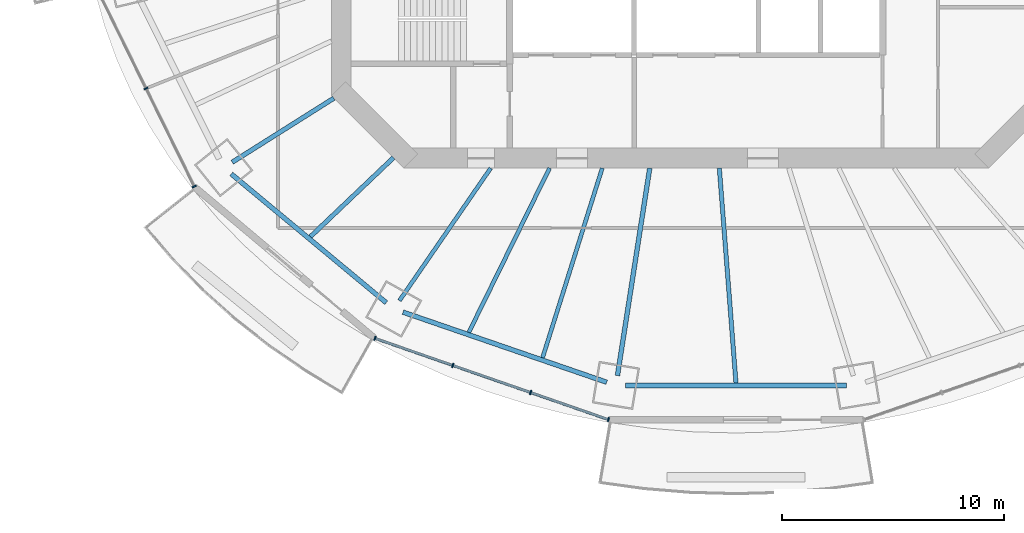
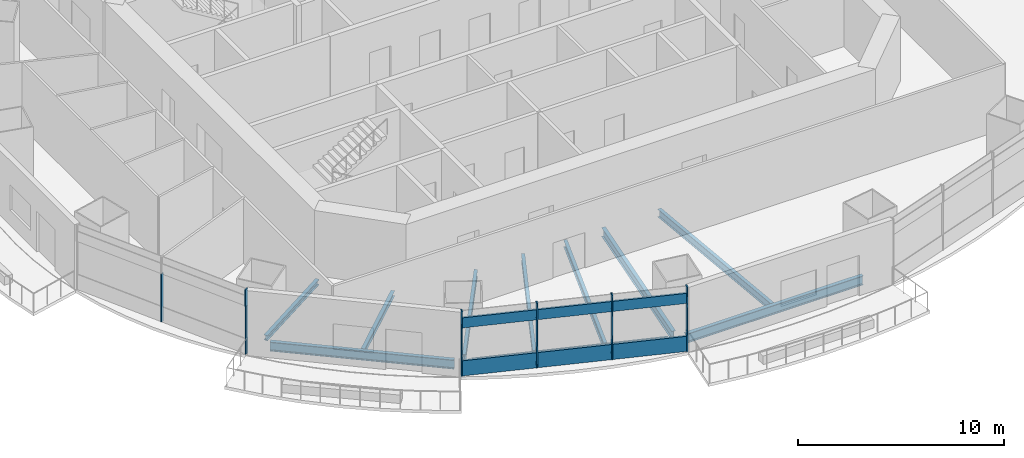
# One storey, part 2 of 16: 13 members, 10 beams, 4 elements without a shape of their own.
"""IFC4 building model written with IfcOpenShell, lengths in metres."""

from ifc_helpers import new_model, si_unit, direction, frame, origin, origin_2d, place, context, subcontext, project, spatial, rectangle, i_section, extrude, material, material_profile, profile_set, type_object, element, aggregate, save


model = new_model("IFC4")

# Units and contexts
model_context = context("Model", 3, precision=1e-05, world=origin(), true_north=direction((0.0, 1.0)))
body_context = subcontext(model_context, "Body", "Model", "MODEL_VIEW")
ifc_project = project(units=[si_unit("LENGTHUNIT", "METRE"), si_unit("AREAUNIT", "SQUARE_METRE"), si_unit("VOLUMEUNIT", "CUBIC_METRE"), si_unit("PLANEANGLEUNIT", "RADIAN"), si_unit("MASSUNIT", "GRAM", prefix="KILO")], contexts=[model_context])

# Site, building, storey
site_placement = place(None, origin())
site = spatial("IfcSite", under=ifc_project, at=site_placement, CompositionType="ELEMENT")
building_placement = place(site_placement, origin())
building = spatial("IfcBuilding", under=site, at=building_placement, Name="Marenthal Gate Tower", CompositionType="ELEMENT")
storey_placement = place(building_placement, frame((0.0, 0.0, 268.949951171875)))
storey = spatial("IfcBuildingStorey", under=building, at=storey_placement, Name="L60", CompositionType="ELEMENT", Elevation=268.949951171875)

# Curtain wall, members
ifc_material_1 = material(Name="Aluminium and glass", Category="aluminium")
curtain_wall_type_1 = type_object("IfcCurtainWallType", Name="Curtain wall typical mid", PredefinedType="NOTDEFINED", material=ifc_material_1)
curtain_wall_1_placement = place(storey_placement, origin())
curtain_wall_1 = element("IfcCurtainWall", 1, at=curtain_wall_1_placement, inside=storey, type_object=curtain_wall_type_1, Name="Curtain wall L60 bay 9", PredefinedType="NOTDEFINED")
ifc_material_2 = material(Name="Aluminium", Category="aluminium")
ifc_material_profile_1 = material_profile(ifc_material_2, rectangle(XDim=0.179931640625, YDim=0.06005859375, at=origin_2d()), Name="60x180 aluminium mullion")
ifc_profile_set_1 = profile_set([ifc_material_profile_1], Name="Aluminium")
member_type_1 = type_object("IfcMemberType", Name="Mullion 60x180 typical mid", PredefinedType="MULLION", material=ifc_profile_set_1)
member_1_placement = place(storey_placement, frame((-24.804931640625, -9.858642578125, 0.0), z_axis=(0.0, 0.0, 1.0), x_axis=(0.896920632002, 0.442191564697, 0.0)))
member_1 = element("IfcMember", 2, at=member_1_placement, type_object=member_type_1, Name="Mullion L60 bay 9.2", PredefinedType="MULLION", context=body_context, shape_type="SweptSolid", body=[
    extrude(rectangle(XDim=0.179931640625, YDim=0.06005859375, at=origin_2d()), origin(), (0.0, 0.0, 1.0), 2.85009765625),
])
member_2_placement = place(storey_placement, frame((-22.6259765625, -14.27783203125, 0.0), z_axis=(0.0, 0.0, 1.0), x_axis=(0.896920632002, 0.442191564697, 0.0)))
member_2 = element("IfcMember", 3, at=member_2_placement, type_object=member_type_1, Name="Mullion L60 bay 9.3", PredefinedType="MULLION", context=body_context, shape_type="SweptSolid", body=[
    extrude(rectangle(XDim=0.179931640625, YDim=0.06005859375, at=origin_2d()), origin(), (0.0, 0.0, 1.0), 2.85009765625),
])
aggregate(curtain_wall_1, [member_1, member_2])

curtain_wall_2_placement = place(storey_placement, origin())
curtain_wall_2 = element("IfcCurtainWall", 4, at=curtain_wall_2_placement, inside=storey, type_object=curtain_wall_type_1, Name="Curtain wall L60 bay 11", PredefinedType="NOTDEFINED")
member_3_placement = place(storey_placement, frame((-14.48388671875, -21.12060546875, 0.0), z_axis=(0.0, 0.0, 1.0), x_axis=(0.328669787971, 0.944444900709, 0.0)))
member_3 = element("IfcMember", 5, at=member_3_placement, type_object=member_type_1, Name="Mullion L60 bay 11.1", PredefinedType="MULLION", context=body_context, shape_type="SweptSolid", body=[
    extrude(rectangle(XDim=0.179931640625, YDim=0.06005859375, at=origin_2d()), origin(), (0.0, 0.0, 1.0), 2.85009765625),
])
member_4_placement = place(storey_placement, frame((-10.974609375, -22.341796875, 0.0), z_axis=(0.0, 0.0, 1.0), x_axis=(0.328669787971, 0.944444900709, 0.0)))
member_4 = element("IfcMember", 6, at=member_4_placement, type_object=member_type_1, Name="Mullion L60 bay 11.2", PredefinedType="MULLION", context=body_context, shape_type="SweptSolid", body=[
    extrude(rectangle(XDim=0.179931640625, YDim=0.06005859375, at=origin_2d()), origin(), (0.0, 0.0, 1.0), 2.85009765625),
])
member_5_placement = place(storey_placement, frame((-7.465576171875, -23.56298828125, 0.0), z_axis=(0.0, 0.0, 1.0), x_axis=(0.328669787971, 0.944444900709, 0.0)))
member_5 = element("IfcMember", 7, at=member_5_placement, type_object=member_type_1, Name="Mullion L60 bay 11.3", PredefinedType="MULLION", context=body_context, shape_type="SweptSolid", body=[
    extrude(rectangle(XDim=0.179931640625, YDim=0.06005859375, at=origin_2d()), origin(), (0.0, 0.0, 1.0), 2.85009765625),
])
member_6_placement = place(storey_placement, frame((-3.956298828125, -24.7841796875, 0.0), z_axis=(0.0, 0.0, 1.0), x_axis=(0.328669787971, 0.944444900709, 0.0)))
member_6 = element("IfcMember", 8, at=member_6_placement, type_object=member_type_1, Name="Mullion L60 bay 11.4", PredefinedType="MULLION", context=body_context, shape_type="SweptSolid", body=[
    extrude(rectangle(XDim=0.179931640625, YDim=0.06005859375, at=origin_2d()), origin(), (0.0, 0.0, 1.0), 2.85009765625),
])

# Curtain wall, member
ifc_material_3 = material(Name="Aluminium and glass", Category="aluminium")
curtain_wall_type_2 = type_object("IfcCurtainWallType", Name="Curtain wall crown clad", PredefinedType="NOTDEFINED", material=ifc_material_3)
curtain_wall_3_placement = place(storey_placement, origin())
curtain_wall_3 = element("IfcCurtainWall", 9, at=curtain_wall_3_placement, inside=storey, type_object=curtain_wall_type_2, Name="Curtain wall L60 bay 9 head band", PredefinedType="NOTDEFINED")
ifc_material_4 = material(Name="Aluminium", Category="aluminium")
ifc_material_profile_2 = material_profile(ifc_material_4, rectangle(XDim=0.199951171875, YDim=0.06005859375, at=origin_2d()), Name="60x200 aluminium mullion")
ifc_profile_set_2 = profile_set([ifc_material_profile_2], Name="Aluminium")
member_type_2 = type_object("IfcMemberType", Name="Mullion 60x200 crown clad", PredefinedType="MULLION", material=ifc_profile_set_2)
member_7_placement = place(storey_placement, frame((-22.6259765625, -14.27783203125, 2.85009765625), z_axis=(0.0, 0.0, 1.0), x_axis=(0.896920632002, 0.442191564697, 0.0)))
member_7 = element("IfcMember", 10, at=member_7_placement, type_object=member_type_2, Name="Mullion L60 bay 9.3", PredefinedType="MULLION", context=body_context, shape_type="SweptSolid", body=[
    extrude(rectangle(XDim=0.199951171875, YDim=0.06005859375, at=origin_2d()), origin(), (0.0, 0.0, 1.0), 1.0),
])
aggregate(curtain_wall_3, [member_7])

# Curtain wall, members
curtain_wall_4_placement = place(storey_placement, origin())
curtain_wall_4 = element("IfcCurtainWall", 11, at=curtain_wall_4_placement, inside=storey, type_object=curtain_wall_type_2, Name="Curtain wall L60 bay 11 head band", PredefinedType="NOTDEFINED")
member_8_placement = place(storey_placement, frame((-14.48388671875, -21.12060546875, 2.85009765625), z_axis=(0.0, 0.0, 1.0), x_axis=(0.328669787971, 0.944444900709, 0.0)))
member_8 = element("IfcMember", 12, at=member_8_placement, type_object=member_type_2, Name="Mullion L60 bay 11.1", PredefinedType="MULLION", context=body_context, shape_type="SweptSolid", body=[
    extrude(rectangle(XDim=0.199951171875, YDim=0.06005859375, at=origin_2d()), origin(), (0.0, 0.0, 1.0), 1.0),
])
member_9_placement = place(storey_placement, frame((-10.974609375, -22.341796875, 2.85009765625), z_axis=(0.0, 0.0, 1.0), x_axis=(0.328669787971, 0.944444900709, 0.0)))
member_9 = element("IfcMember", 13, at=member_9_placement, type_object=member_type_2, Name="Mullion L60 bay 11.2", PredefinedType="MULLION", context=body_context, shape_type="SweptSolid", body=[
    extrude(rectangle(XDim=0.199951171875, YDim=0.06005859375, at=origin_2d()), origin(), (0.0, 0.0, 1.0), 1.0),
])
member_10_placement = place(storey_placement, frame((-7.465576171875, -23.56298828125, 2.85009765625), z_axis=(0.0, 0.0, 1.0), x_axis=(0.328669787971, 0.944444900709, 0.0)))
member_10 = element("IfcMember", 14, at=member_10_placement, type_object=member_type_2, Name="Mullion L60 bay 11.3", PredefinedType="MULLION", context=body_context, shape_type="SweptSolid", body=[
    extrude(rectangle(XDim=0.199951171875, YDim=0.06005859375, at=origin_2d()), origin(), (0.0, 0.0, 1.0), 1.0),
])
member_11_placement = place(storey_placement, frame((-3.956298828125, -24.7841796875, 2.85009765625), z_axis=(0.0, 0.0, 1.0), x_axis=(0.328669787971, 0.944444900709, 0.0)))
member_11 = element("IfcMember", 15, at=member_11_placement, type_object=member_type_2, Name="Mullion L60 bay 11.4", PredefinedType="MULLION", context=body_context, shape_type="SweptSolid", body=[
    extrude(rectangle(XDim=0.199951171875, YDim=0.06005859375, at=origin_2d()), origin(), (0.0, 0.0, 1.0), 1.0),
])
ifc_material_5 = material(Name="Aluminium", Category="aluminium")
ifc_material_profile_3 = material_profile(ifc_material_5, rectangle(XDim=0.1201171875, YDim=0.60009765625, at=origin_2d()), Name="120x600 aluminium transom")
ifc_profile_set_3 = profile_set([ifc_material_profile_3], Name="Aluminium")
member_type_3 = type_object("IfcMemberType", Name="Transom 120x600 crown clad", PredefinedType="USERDEFINED", material=ifc_profile_set_3)
member_12_placement = place(storey_placement, frame((-14.455322265625, -21.13037109375, 3.150146484375), z_axis=(0.944445984358, -0.328666674047, 0.0), x_axis=(0.328666674047, 0.944445984358, 0.0)))
member_12 = element("IfcMember", 16, at=member_12_placement, type_object=member_type_3, Name="Transom L60 bay 11", ObjectType="TRANSOM", PredefinedType="USERDEFINED", context=body_context, shape_type="SweptSolid", body=[
    extrude(rectangle(XDim=0.1201171875, YDim=0.60009765625, at=origin_2d()), origin(), (0.0, 0.0, 1.0), 11.086669921875),
])
aggregate(curtain_wall_4, [member_8, member_9, member_10, member_11, member_12])

# Member
ifc_material_6 = material(Name="Aluminium", Category="aluminium")
ifc_material_profile_4 = material_profile(ifc_material_6, rectangle(XDim=0.1201171875, YDim=0.89990234375, at=origin_2d()), Name="120x900 aluminium transom")
ifc_profile_set_4 = profile_set([ifc_material_profile_4], Name="Aluminium")
member_type_4 = type_object("IfcMemberType", Name="Transom 120x900 typical mid", PredefinedType="USERDEFINED", material=ifc_profile_set_4)
member_13_placement = place(storey_placement, frame((-14.455322265625, -21.13037109375, 0.449951171875), z_axis=(0.944445984358, -0.328666674047, 0.0), x_axis=(0.328666674047, 0.944445984358, 0.0)))
member_13 = element("IfcMember", 17, at=member_13_placement, type_object=member_type_4, Name="Transom L60 bay 11", ObjectType="TRANSOM", PredefinedType="USERDEFINED", context=body_context, shape_type="SweptSolid", body=[
    extrude(rectangle(XDim=0.1201171875, YDim=0.89990234375, at=origin_2d()), origin(), (0.0, 0.0, 1.0), 11.086669921875),
])

aggregate(curtain_wall_2, [member_3, member_4, member_5, member_6, member_13])

# Beams
ifc_material_7 = material(Name="Steel S355", Category="steel")
ifc_material_profile_5 = material_profile(ifc_material_7, i_section(OverallWidth=0.202880859375, OverallDepth=0.302001953125, WebThickness=0.007568359375, FlangeThickness=0.01318359375, FilletRadius=0.0126953125, at=origin_2d()), Name="W310X60")
ifc_profile_set_5 = profile_set([ifc_material_profile_5], Name="Steel S355")
beam_type_1 = type_object("IfcBeamType", Name="W310X60 beam", PredefinedType="BEAM", material=ifc_profile_set_5)
beam_1_placement = place(storey_placement, frame((-17.389404296875, -16.538330078125, -0.3310546875), z_axis=(0.724635316144, 0.68913254066, 0.0), x_axis=(-0.68913254066, 0.724635316144, 0.0)))
element("IfcBeam", 18, at=beam_1_placement, inside=storey, type_object=beam_type_1, Name="BM-L60-31", PredefinedType="BEAM", context=body_context, shape_type="SweptSolid", body=[
    extrude(i_section(OverallWidth=0.202880859375, OverallDepth=0.302001953125, WebThickness=0.007568359375, FlangeThickness=0.01318359375, FilletRadius=0.0126953125, at=origin_2d()), origin(), (0.0, 0.0, 1.0), 5.157470703125),
])
ifc_material_8 = material(Name="Steel S355", Category="steel")
ifc_material_profile_6 = material_profile(ifc_material_8, i_section(OverallWidth=0.205078125, OverallDepth=0.31005859375, WebThickness=0.009521484375, FlangeThickness=0.016357421875, FilletRadius=0.0126953125, at=origin_2d()), Name="W310X74")
ifc_profile_set_6 = profile_set([ifc_material_profile_6], Name="Steel S355")
beam_type_2 = type_object("IfcBeamType", Name="W310X74 beam", PredefinedType="BEAM", material=ifc_profile_set_6)
beam_2_placement = place(storey_placement, frame((-20.9130859375, -13.18359375, -0.3349609375), z_axis=(0.845937996818, 0.533281263067, 0.0), x_axis=(-0.533281263067, 0.845937996818, 0.0)))
element("IfcBeam", 19, at=beam_2_placement, inside=storey, type_object=beam_type_2, Name="BM-L60-10", PredefinedType="BEAM", context=body_context, shape_type="SweptSolid", body=[
    extrude(i_section(OverallWidth=0.205078125, OverallDepth=0.31005859375, WebThickness=0.009521484375, FlangeThickness=0.016357421875, FilletRadius=0.0126953125, at=origin_2d()), origin(), (0.0, 0.0, 1.0), 5.408935546875),
])
ifc_material_9 = material(Name="Steel S355", Category="steel")
ifc_material_profile_7 = material_profile(ifc_material_9, i_section(OverallWidth=0.180908203125, OverallDepth=0.4169921875, WebThickness=0.010986328125, FlangeThickness=0.018310546875, FilletRadius=0.01025390625, at=origin_2d()), Name="W410X85")
ifc_profile_set_7 = profile_set([ifc_material_profile_7], Name="Steel S355")
beam_type_3 = type_object("IfcBeamType", Name="W410X85 beam", PredefinedType="BEAM", material=ifc_profile_set_7)
beam_3_placement = place(storey_placement, frame((-13.376708984375, -19.4228515625, -0.388427734375), z_axis=(0.567198693858, 0.823580986719, 0.0), x_axis=(-0.823580986719, 0.567198693858, 0.0)))
element("IfcBeam", 20, at=beam_3_placement, inside=storey, type_object=beam_type_3, Name="BM-L60-11", PredefinedType="BEAM", context=body_context, shape_type="SweptSolid", body=[
    extrude(i_section(OverallWidth=0.180908203125, OverallDepth=0.4169921875, WebThickness=0.010986328125, FlangeThickness=0.018310546875, FilletRadius=0.01025390625, at=origin_2d()), origin(), (0.0, 0.0, 1.0), 7.25244140625),
])
beam_4_placement = place(storey_placement, frame((-10.2490234375, -20.85009765625, -0.388427734375), z_axis=(0.441151587907, 0.897432602755, 0.0), x_axis=(-0.897432602755, 0.441151587907, 0.0)))
element("IfcBeam", 21, at=beam_4_placement, inside=storey, type_object=beam_type_3, Name="BM-L60-32", PredefinedType="BEAM", context=body_context, shape_type="SweptSolid", body=[
    extrude(i_section(OverallWidth=0.180908203125, OverallDepth=0.4169921875, WebThickness=0.010986328125, FlangeThickness=0.018310546875, FilletRadius=0.01025390625, at=origin_2d()), origin(), (0.0, 0.0, 1.0), 8.245849609375),
])
beam_5_placement = place(storey_placement, frame((-6.926025390625, -21.994140625, -0.388427734375), z_axis=(0.30034603041, 0.953830310913, 0.0), x_axis=(-0.953830310913, 0.30034603041, 0.0)))
element("IfcBeam", 22, at=beam_5_placement, inside=storey, type_object=beam_type_3, Name="BM-L60-33", PredefinedType="BEAM", context=body_context, shape_type="SweptSolid", body=[
    extrude(i_section(OverallWidth=0.180908203125, OverallDepth=0.4169921875, WebThickness=0.010986328125, FlangeThickness=0.018310546875, FilletRadius=0.01025390625, at=origin_2d()), origin(), (0.0, 0.0, 1.0), 8.957763671875),
])
ifc_material_10 = material(Name="Steel S355", Category="steel")
ifc_material_profile_8 = material_profile(ifc_material_10, i_section(OverallWidth=0.193115234375, OverallDepth=0.467041015625, WebThickness=0.011474609375, FlangeThickness=0.01904296875, FilletRadius=0.010009765625, at=origin_2d()), Name="W460X97")
ifc_profile_set_8 = profile_set([ifc_material_profile_8], Name="Steel S355")
beam_type_4 = type_object("IfcBeamType", Name="W460X97 beam", PredefinedType="BEAM", material=ifc_profile_set_8)
beam_6_placement = place(storey_placement, frame((1.791748046875, -23.138427734375, -0.413330078125), z_axis=(-0.077205616484, 0.997015191852, 0.0), x_axis=(-0.997015191852, -0.077205616484, 0.0)))
element("IfcBeam", 23, at=beam_6_placement, inside=storey, type_object=beam_type_4, Name="BM-L60-34", PredefinedType="BEAM", context=body_context, shape_type="SweptSolid", body=[
    extrude(i_section(OverallWidth=0.193115234375, OverallDepth=0.467041015625, WebThickness=0.011474609375, FlangeThickness=0.01904296875, FilletRadius=0.010009765625, at=origin_2d()), origin(), (0.0, 0.0, 1.0), 9.717529296875),
])
ifc_material_11 = material(Name="Steel S355", Category="steel")
ifc_material_profile_9 = material_profile(ifc_material_11, i_section(OverallWidth=0.2099609375, OverallDepth=0.535888671875, WebThickness=0.010986328125, FlangeThickness=0.017333984375, FilletRadius=0.0126953125, at=origin_2d()), Name="W530X101")
ifc_profile_set_9 = profile_set([ifc_material_profile_9], Name="Steel S355")
beam_type_5 = type_object("IfcBeamType", Name="W530X101 beam", PredefinedType="BEAM", material=ifc_profile_set_9)
beam_7_placement = place(storey_placement, frame((-3.550537109375, -22.7998046875, -0.447998046875), z_axis=(0.153875504904, 0.988090243343, 0.0), x_axis=(-0.988090243343, 0.153875504904, 0.0)))
element("IfcBeam", 24, at=beam_7_placement, inside=storey, type_object=beam_type_5, Name="BM-L60-12", PredefinedType="BEAM", context=body_context, shape_type="SweptSolid", body=[
    extrude(i_section(OverallWidth=0.2099609375, OverallDepth=0.535888671875, WebThickness=0.010986328125, FlangeThickness=0.017333984375, FilletRadius=0.0126953125, at=origin_2d()), origin(), (0.0, 0.0, 1.0), 9.462646484375),
])
ifc_material_12 = material(Name="Steel S355", Category="steel")
ifc_material_profile_10 = material_profile(ifc_material_12, i_section(OverallWidth=0.2119140625, OverallDepth=0.5439453125, WebThickness=0.01318359375, FlangeThickness=0.021240234375, FilletRadius=0.0126953125, at=origin_2d()), Name="W530X123")
ifc_profile_set_10 = profile_set([ifc_material_profile_10], Name="Steel S355")
beam_type_6 = type_object("IfcBeamType", Name="W530X123 beam", PredefinedType="BEAM", material=ifc_profile_set_10)
beam_8_placement = place(storey_placement, frame((-20.957763671875, -13.710693359375, -0.451904296875), z_axis=(0.769082206984, -0.639149872018, 0.0), x_axis=(0.639149872018, 0.769082206984, 0.0)))
element("IfcBeam", 25, at=beam_8_placement, inside=storey, type_object=beam_type_6, Name="BM-L60-50", PredefinedType="BEAM", context=body_context, shape_type="SweptSolid", body=[
    extrude(i_section(OverallWidth=0.2119140625, OverallDepth=0.5439453125, WebThickness=0.01318359375, FlangeThickness=0.021240234375, FilletRadius=0.0126953125, at=origin_2d()), origin(), (0.0, 0.0, 1.0), 9.0810546875),
])
beam_9_placement = place(storey_placement, frame((-13.21875, -19.93994140625, -0.451904296875), z_axis=(0.945538727214, -0.325509624034, 0.0), x_axis=(0.325509624034, 0.945538727214, 0.0)))
element("IfcBeam", 26, at=beam_9_placement, inside=storey, type_object=beam_type_6, Name="BM-L60-51", PredefinedType="BEAM", context=body_context, shape_type="SweptSolid", body=[
    extrude(i_section(OverallWidth=0.2119140625, OverallDepth=0.5439453125, WebThickness=0.01318359375, FlangeThickness=0.021240234375, FilletRadius=0.0126953125, at=origin_2d()), origin(), (0.0, 0.0, 1.0), 9.713623046875),
])
beam_10_placement = place(storey_placement, frame((-3.18212890625, -23.244384765625, -0.451904296875), z_axis=(1.0, 0.0, 0.0), x_axis=(0.0, 1.0, 0.0)))
element("IfcBeam", 27, at=beam_10_placement, inside=storey, type_object=beam_type_6, Name="BM-L60-52", PredefinedType="BEAM", context=body_context, shape_type="SweptSolid", body=[
    extrude(i_section(OverallWidth=0.2119140625, OverallDepth=0.5439453125, WebThickness=0.01318359375, FlangeThickness=0.021240234375, FilletRadius=0.0126953125, at=origin_2d()), origin(), (0.0, 0.0, 1.0), 9.96435546875),
])

save(model, "model.ifc")
